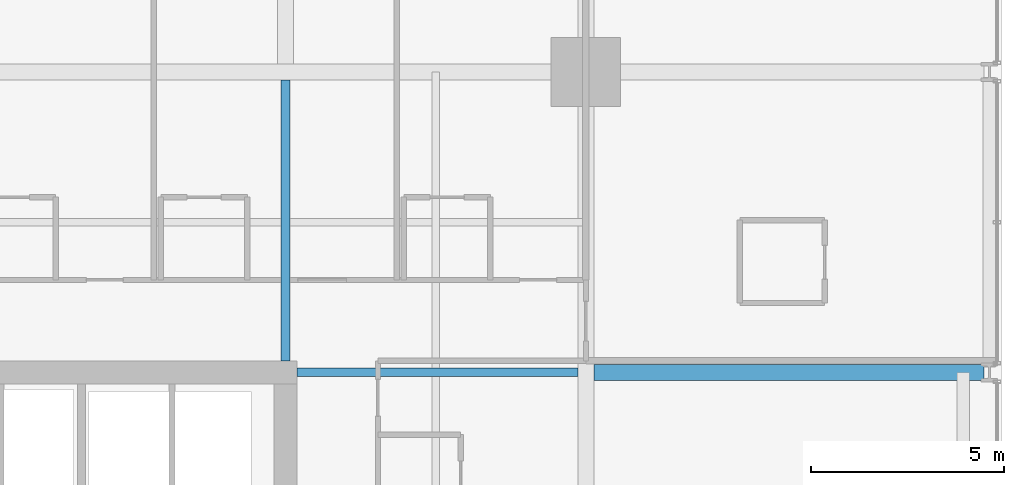
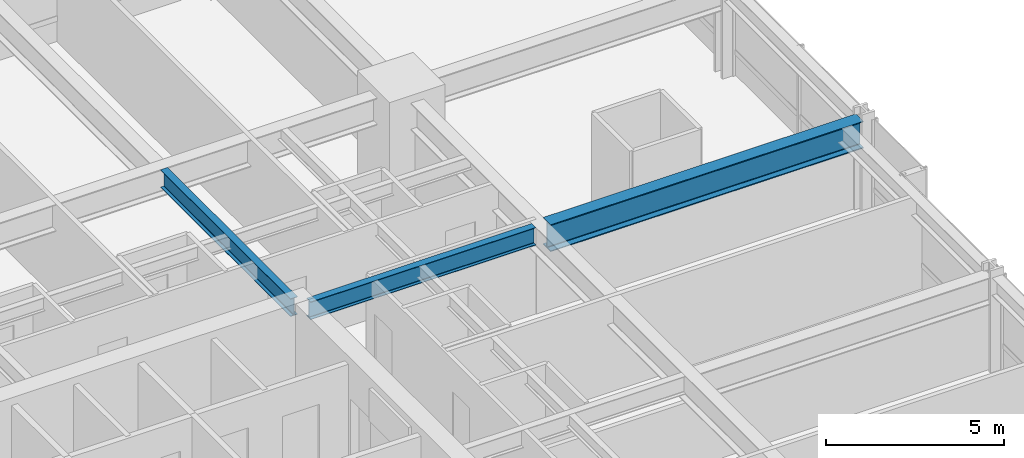
# One storey, part 24 of 39: 3 beams.
"""IFC4 building model written with IfcOpenShell, lengths in metres."""

from ifc_helpers import new_model, si_unit, direction, frame, origin, origin_2d, place, context, subcontext, project, spatial, i_section, extrude, material, material_profile, profile_set, type_object, element, save


model = new_model("IFC4")

# Units and contexts
model_context = context("Model", 3, precision=1e-05, world=origin(), true_north=direction((0.0, 1.0)))
body_context = subcontext(model_context, "Body", "Model", "MODEL_VIEW")
ifc_project = project(units=[si_unit("LENGTHUNIT", "METRE"), si_unit("AREAUNIT", "SQUARE_METRE"), si_unit("VOLUMEUNIT", "CUBIC_METRE"), si_unit("PLANEANGLEUNIT", "RADIAN"), si_unit("MASSUNIT", "GRAM", prefix="KILO")], contexts=[model_context])

# Site, building, storey
site_placement = place(None, origin())
site = spatial("IfcSite", under=ifc_project, at=site_placement, CompositionType="ELEMENT")
building_placement = place(site_placement, origin())
building = spatial("IfcBuilding", under=site, at=building_placement, Name="Drelvath Grand Hotel", CompositionType="ELEMENT")
storey_placement = place(building_placement, frame((0.0, 0.0, 40.199951171875)))
storey = spatial("IfcBuildingStorey", under=building, at=storey_placement, Name="L08", CompositionType="ELEMENT", Elevation=40.199951171875)

# Beams
ifc_material = material(Name="Steel ASTM A992 Gr 50", Category="steel")
ifc_material_profile_1 = material_profile(ifc_material, i_section(OverallWidth=0.228271484375, OverallDepth=0.607666015625, WebThickness=0.01123046875, FlangeThickness=0.017333984375, FilletRadius=0.02001953125, at=origin_2d()), Name="W24X76")
ifc_profile_set_1 = profile_set([ifc_material_profile_1], Name="Steel ASTM A992 Gr 50")
beam_type_1 = type_object("IfcBeamType", Name="Primary Floor Girder W24X76", PredefinedType="BEAM", material=ifc_profile_set_1)
for number, where, z_axis, x_axis, name in (
    (1, (8.699951171875, 35.39990234375, 2.936279296875), (1.0, 0.0, 0.0), (0.0, 1.0, 0.0), "L08 East Core Tie F"),
    (2, (8.39990234375, 35.699951171875, 2.936279296875), (0.0, 1.0, 0.0), (-1.0, 0.0, 0.0), "L08 North Core Tie 6"),
):
    element("IfcBeam", number, at=place(storey_placement, frame(where, z_axis=z_axis, x_axis=x_axis)), inside=storey, type_object=beam_type_1, Name=name, PredefinedType="BEAM", context=body_context, shape_type="SweptSolid", body=[
        extrude(i_section(OverallWidth=0.228271484375, OverallDepth=0.607666015625, WebThickness=0.01123046875, FlangeThickness=0.017333984375, FilletRadius=0.02001953125, at=origin_2d()), origin(), (0.0, 0.0, 1.0), 7.290771484375),
    ])
ifc_material_profile_2 = material_profile(ifc_material, i_section(OverallWidth=0.418212890625, OverallDepth=0.926513671875, WebThickness=0.019287109375, FlangeThickness=0.031982421875, FilletRadius=0.028076171875, at=origin_2d()), Name="W36X231")
ifc_profile_set_2 = profile_set([ifc_material_profile_2], Name="Steel ASTM A992 Gr 50")
beam_type_2 = type_object("IfcBeamType", Name="Primary Floor Girder W36X231", PredefinedType="BEAM", material=ifc_profile_set_2)
beam_placement = place(storey_placement, frame((16.4091796875, 35.39990234375, 2.77685546875), z_axis=(1.0, 0.0, 0.0), x_axis=(0.0, 1.0, 0.0)))
element("IfcBeam", 3, at=beam_placement, inside=storey, type_object=beam_type_2, Name="L08 East Wing Girder F", PredefinedType="BEAM", context=body_context, shape_type="SweptSolid", body=[
    extrude(i_section(OverallWidth=0.418212890625, OverallDepth=0.926513671875, WebThickness=0.019287109375, FlangeThickness=0.031982421875, FilletRadius=0.028076171875, at=origin_2d()), origin(), (0.0, 0.0, 1.0), 10.130859375),
])

save(model, "model.ifc")
